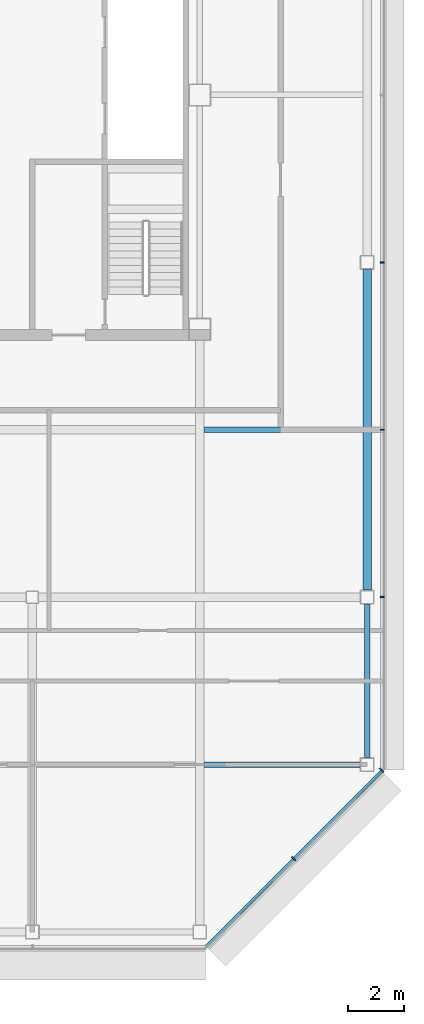
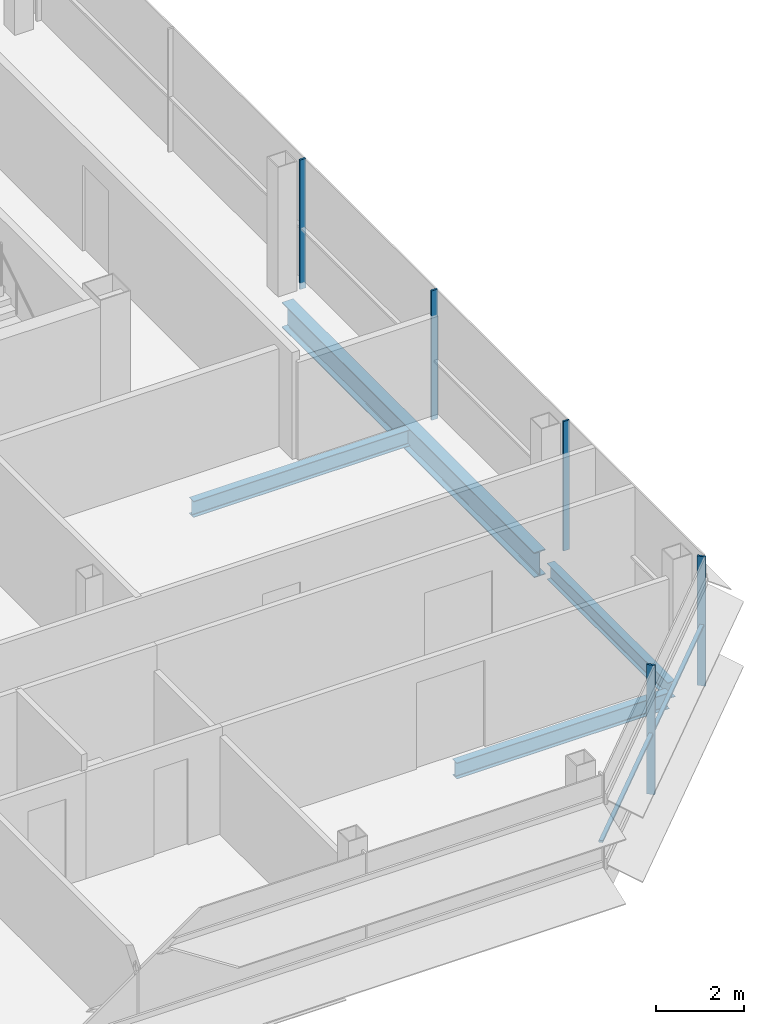
# One storey, part 17 of 28: 6 members, 4 beams, 2 elements without a shape of their own.
"""IFC4 building model written with IfcOpenShell, lengths in metres."""

from ifc_helpers import new_model, si_unit, direction, frame, origin, origin_2d, place, context, subcontext, project, spatial, rectangle, i_section, extrude, material, material_profile, profile_set, type_object, element, aggregate, save


model = new_model("IFC4")

# Units and contexts
model_context = context("Model", 3, precision=1e-05, world=origin(), true_north=direction((0.0, 1.0)))
body_context = subcontext(model_context, "Body", "Model", "MODEL_VIEW")
ifc_project = project(units=[si_unit("LENGTHUNIT", "METRE"), si_unit("AREAUNIT", "SQUARE_METRE"), si_unit("VOLUMEUNIT", "CUBIC_METRE"), si_unit("PLANEANGLEUNIT", "RADIAN"), si_unit("MASSUNIT", "GRAM", prefix="KILO")], contexts=[model_context])

# Site, building, storey
site_placement = place(None, origin())
site = spatial("IfcSite", under=ifc_project, at=site_placement, CompositionType="ELEMENT")
building_placement = place(site_placement, origin())
building = spatial("IfcBuilding", under=site, at=building_placement, Name="Sorahane Residences", CompositionType="ELEMENT")
storey_placement = place(building_placement, frame((0.0, 0.0, 308.800048828125)))
storey = spatial("IfcBuildingStorey", under=building, at=storey_placement, Name="L73", CompositionType="ELEMENT", Elevation=308.800048828125)

# Curtain wall, members
ifc_material_1 = material(Name="Dark low-e glass and black anodised aluminium", Category="aluminium")
curtain_wall_type_1 = type_object("IfcCurtainWallType", Name="Curtain wall CW-1 Typical unitised wall", PredefinedType="NOTDEFINED", material=ifc_material_1)
curtain_wall_1_placement = place(storey_placement, origin())
curtain_wall_1 = element("IfcCurtainWall", 1, at=curtain_wall_1_placement, inside=storey, type_object=curtain_wall_type_1, Name="CW-1 curtain wall L73 E1", PredefinedType="NOTDEFINED")
ifc_material_2 = material(Name="Black anodised aluminium", Category="aluminium")
ifc_material_profile_1 = material_profile(ifc_material_2, rectangle(XDim=0.159912109375, YDim=0.050048828125, at=origin_2d()), Name="Curtain wall mullion CW-1 black anodised aluminium 50x160")
ifc_profile_set_1 = profile_set([ifc_material_profile_1], Name="Black anodised aluminium")
member_type_1 = type_object("IfcMemberType", Name="Curtain wall mullion CW-1 black anodised aluminium 50x160", PredefinedType="MULLION", material=ifc_profile_set_1)
member_1_placement = place(storey_placement, frame((48.5400390625, 12.0, -0.179931640625), z_axis=(0.0, 0.0, 1.0), x_axis=(1.0, 0.0, 0.0)))
member_1 = element("IfcMember", 2, at=member_1_placement, type_object=member_type_1, Name="CW-1 mullion L73 E1.2", PredefinedType="MULLION", context=body_context, shape_type="SweptSolid", body=[
    extrude(rectangle(XDim=0.159912109375, YDim=0.050048828125, at=origin_2d()), origin(), (0.0, 0.0, 1.0), 3.599853515625),
])
member_2_placement = place(storey_placement, frame((48.5400390625, 18.0, -0.179931640625), z_axis=(0.0, 0.0, 1.0), x_axis=(1.0, 0.0, 0.0)))
member_2 = element("IfcMember", 3, at=member_2_placement, type_object=member_type_1, Name="CW-1 mullion L73 E1.3", PredefinedType="MULLION", context=body_context, shape_type="SweptSolid", body=[
    extrude(rectangle(XDim=0.159912109375, YDim=0.050048828125, at=origin_2d()), origin(), (0.0, 0.0, 1.0), 3.599853515625),
])
member_3_placement = place(storey_placement, frame((48.5400390625, 24.0, -0.179931640625), z_axis=(0.0, 0.0, 1.0), x_axis=(1.0, 0.0, 0.0)))
member_3 = element("IfcMember", 4, at=member_3_placement, type_object=member_type_1, Name="CW-1 mullion L73 E1.4", PredefinedType="MULLION", context=body_context, shape_type="SweptSolid", body=[
    extrude(rectangle(XDim=0.159912109375, YDim=0.050048828125, at=origin_2d()), origin(), (0.0, 0.0, 1.0), 3.599853515625),
])
aggregate(curtain_wall_1, [member_1, member_2, member_3])

ifc_material_3 = material(Name="Dark low-e glass and black anodised aluminium", Category="aluminium")
curtain_wall_type_2 = type_object("IfcCurtainWallType", Name="Curtain wall CW-2 Chamfer unitised wall", PredefinedType="NOTDEFINED", material=ifc_material_3)
curtain_wall_2_placement = place(storey_placement, origin())
curtain_wall_2 = element("IfcCurtainWall", 5, at=curtain_wall_2_placement, inside=storey, type_object=curtain_wall_type_2, Name="CW-2 curtain wall L73 SE1", PredefinedType="NOTDEFINED")
ifc_material_4 = material(Name="Black anodised aluminium", Category="aluminium")
ifc_material_profile_2 = material_profile(ifc_material_4, rectangle(XDim=0.199951171875, YDim=0.050048828125, at=origin_2d()), Name="Curtain wall mullion CW-2 black anodised aluminium 50x200")
ifc_profile_set_2 = profile_set([ifc_material_profile_2], Name="Black anodised aluminium")
member_type_2 = type_object("IfcMemberType", Name="Curtain wall mullion CW-2 black anodised aluminium 50x200", PredefinedType="MULLION", material=ifc_profile_set_2)
member_4_placement = place(storey_placement, frame((45.36767578125, 2.63232421875, -0.179931640625), z_axis=(0.0, 0.0, 1.0), x_axis=(0.707106781187, -0.707106781187, 0.0)))
member_4 = element("IfcMember", 6, at=member_4_placement, type_object=member_type_2, Name="CW-2 mullion L73 SE1.2", PredefinedType="MULLION", context=body_context, shape_type="SweptSolid", body=[
    extrude(rectangle(XDim=0.199951171875, YDim=0.050048828125, at=origin_2d()), origin(), (0.0, 0.0, 1.0), 3.599853515625),
])
member_5_placement = place(storey_placement, frame((48.525634765625, 5.790283203125, -0.179931640625), z_axis=(0.0, 0.0, 1.0), x_axis=(0.707106781187, -0.707106781187, 0.0)))
member_5 = element("IfcMember", 7, at=member_5_placement, type_object=member_type_2, Name="CW-2 mullion L73 SE1.3", PredefinedType="MULLION", context=body_context, shape_type="SweptSolid", body=[
    extrude(rectangle(XDim=0.199951171875, YDim=0.050048828125, at=origin_2d()), origin(), (0.0, 0.0, 1.0), 3.599853515625),
])
ifc_material_5 = material(Name="Black anodised aluminium", Category="aluminium")
ifc_material_profile_3 = material_profile(ifc_material_5, rectangle(XDim=0.10009765625, YDim=0.06005859375, at=origin_2d()), Name="Curtain wall transom CW-2 black anodised aluminium 60x100")
ifc_profile_set_3 = profile_set([ifc_material_profile_3], Name="Black anodised aluminium")
member_type_3 = type_object("IfcMemberType", Name="Curtain wall transom CW-2 black anodised aluminium 60x100", PredefinedType="USERDEFINED", material=ifc_profile_set_3)
member_6_placement = place(storey_placement, frame((42.234375, -0.51513671875, 1.5), z_axis=(0.707106781187, 0.707106781187, 0.0), x_axis=(-0.707106781187, 0.707106781187, 0.0)))
member_6 = element("IfcMember", 8, at=member_6_placement, type_object=member_type_3, Name="CW-2 transom L73 SE1", ObjectType="TRANSOM", PredefinedType="USERDEFINED", context=body_context, shape_type="SweptSolid", body=[
    extrude(rectangle(XDim=0.10009765625, YDim=0.06005859375, at=origin_2d()), origin(), (0.0, 0.0, 1.0), 8.88232421875),
])
aggregate(curtain_wall_2, [member_4, member_5, member_6])

# Beams
ifc_material_6 = material(Name="Steel Q355B", Category="steel")
ifc_material_profile_4 = material_profile(ifc_material_6, i_section(OverallWidth=0.199951171875, OverallDepth=0.449951171875, WebThickness=0.009033203125, FlangeThickness=0.013916015625, FilletRadius=0.02001953125, at=origin_2d()), Name="HN 450x200x9x14")
ifc_profile_set_4 = profile_set([ifc_material_profile_4], Name="Steel Q355B")
beam_type_1 = type_object("IfcBeamType", Name="Steel floor beam HN 450x200x9x14 Q355B", PredefinedType="BEAM", material=ifc_profile_set_4)
beam_1_placement = place(storey_placement, frame((48.0, 6.25, -0.405029296875), z_axis=(0.0, 1.0, 0.0), x_axis=(-1.0, 0.0, 0.0)))
element("IfcBeam", 9, at=beam_1_placement, inside=storey, type_object=beam_type_1, Name="Beam L73 062", PredefinedType="BEAM", context=body_context, shape_type="SweptSolid", body=[
    extrude(i_section(OverallWidth=0.199951171875, OverallDepth=0.449951171875, WebThickness=0.009033203125, FlangeThickness=0.013916015625, FilletRadius=0.02001953125, at=origin_2d()), origin(), (0.0, 0.0, 1.0), 5.5),
])
beam_2_placement = place(storey_placement, frame((42.14990234375, 6.0, -0.405029296875), z_axis=(1.0, 0.0, 0.0), x_axis=(0.0, 1.0, 0.0)))
element("IfcBeam", 10, at=beam_2_placement, inside=storey, type_object=beam_type_1, Name="Beam L73 075", PredefinedType="BEAM", context=body_context, shape_type="SweptSolid", body=[
    extrude(i_section(OverallWidth=0.199951171875, OverallDepth=0.449951171875, WebThickness=0.009033203125, FlangeThickness=0.013916015625, FilletRadius=0.02001953125, at=origin_2d()), origin(), (0.0, 0.0, 1.0), 5.60009765625),
])
beam_3_placement = place(storey_placement, frame((42.14990234375, 18.0, -0.405029296875), z_axis=(1.0, 0.0, 0.0), x_axis=(0.0, 1.0, 0.0)))
element("IfcBeam", 11, at=beam_3_placement, inside=storey, type_object=beam_type_1, Name="Beam L73 082", PredefinedType="BEAM", context=body_context, shape_type="SweptSolid", body=[
    extrude(i_section(OverallWidth=0.199951171875, OverallDepth=0.449951171875, WebThickness=0.009033203125, FlangeThickness=0.013916015625, FilletRadius=0.02001953125, at=origin_2d()), origin(), (0.0, 0.0, 1.0), 5.7001953125),
])
ifc_material_7 = material(Name="Steel Q355B", Category="steel")
ifc_material_profile_5 = material_profile(ifc_material_7, i_section(OverallWidth=0.300048828125, OverallDepth=0.699951171875, WebThickness=0.012939453125, FlangeThickness=0.02392578125, FilletRadius=0.028076171875, at=origin_2d()), Name="HN 700x300x13x24")
ifc_profile_set_5 = profile_set([ifc_material_profile_5], Name="Steel Q355B")
beam_type_2 = type_object("IfcBeamType", Name="Steel floor beam HN 700x300x13x24 Q355B", PredefinedType="BEAM", material=ifc_profile_set_5)
beam_4_placement = place(storey_placement, frame((48.0, 12.25, -0.530029296875), z_axis=(0.0, 1.0, 0.0), x_axis=(-1.0, 0.0, 0.0)))
element("IfcBeam", 12, at=beam_4_placement, inside=storey, type_object=beam_type_2, Name="Beam L73 063", PredefinedType="BEAM", context=body_context, shape_type="SweptSolid", body=[
    extrude(i_section(OverallWidth=0.300048828125, OverallDepth=0.699951171875, WebThickness=0.012939453125, FlangeThickness=0.02392578125, FilletRadius=0.028076171875, at=origin_2d()), origin(), (0.0, 0.0, 1.0), 11.5),
])

save(model, "model.ifc")
